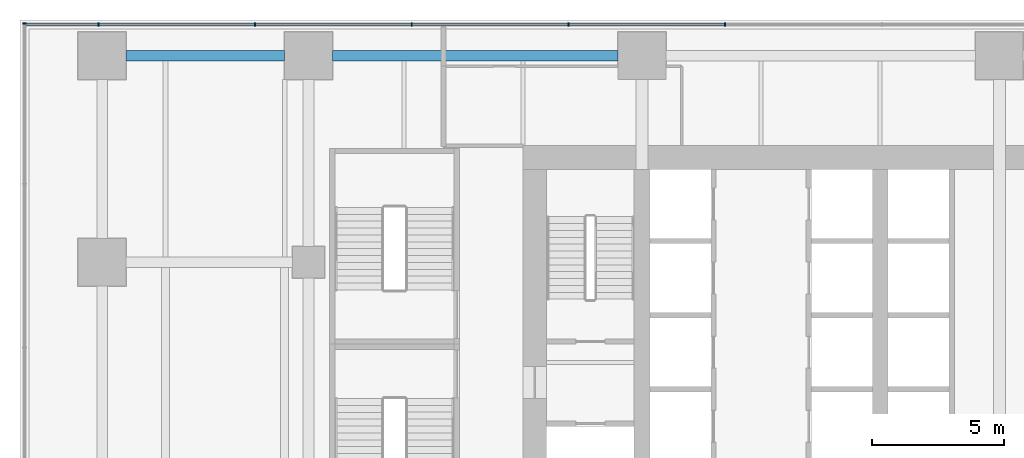
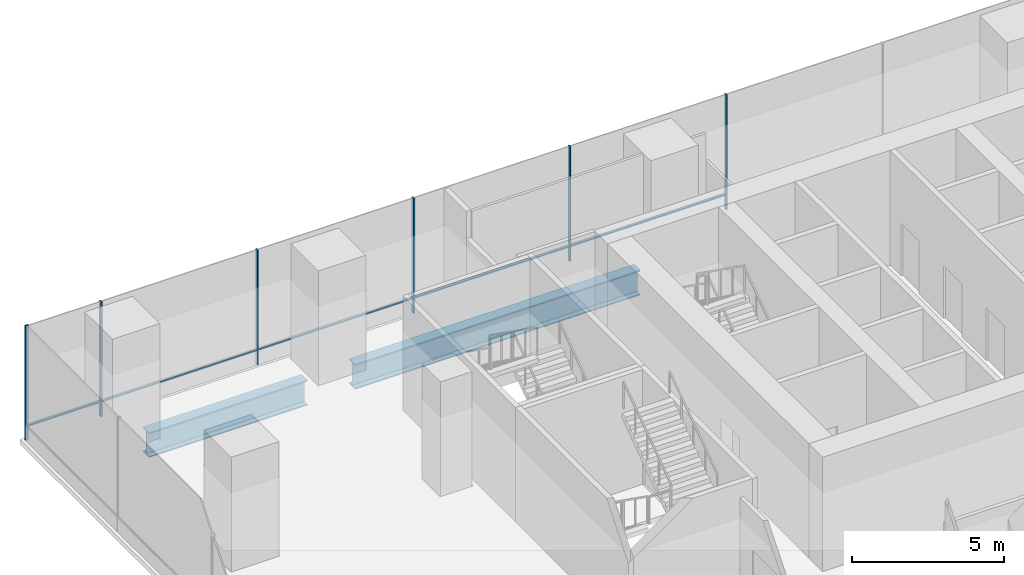
# One storey, part 11 of 28: 11 members, 2 beams, 2 elements without a shape of their own.
"""IFC4 building model written with IfcOpenShell, lengths in metres."""

from ifc_helpers import new_model, si_unit, direction, frame, origin, origin_2d, place, context, subcontext, project, spatial, rectangle, i_section, extrude, material, layer, layer_set, material_profile, profile_set, type_object, element, aggregate, save


model = new_model("IFC4")

# Units and contexts
model_context = context("Model", 3, precision=1e-05, world=origin(), true_north=direction((0.0, 1.0)))
body_context = subcontext(model_context, "Body", "Model", "MODEL_VIEW")
ifc_project = project(units=[si_unit("LENGTHUNIT", "METRE"), si_unit("AREAUNIT", "SQUARE_METRE"), si_unit("VOLUMEUNIT", "CUBIC_METRE"), si_unit("PLANEANGLEUNIT", "RADIAN"), si_unit("MASSUNIT", "GRAM", prefix="KILO")], contexts=[model_context])

# Site, building, storey
site_placement = place(None, origin())
site = spatial("IfcSite", under=ifc_project, at=site_placement, CompositionType="ELEMENT")
building_placement = place(site_placement, origin())
building = spatial("IfcBuilding", under=site, at=building_placement, Name="Rattan Terrace Tower", CompositionType="ELEMENT")
storey_placement = place(building_placement, frame((0.0, 0.0, 22.199951171875)))
storey = spatial("IfcBuildingStorey", under=building, at=storey_placement, Name="L04", CompositionType="ELEMENT", Elevation=22.199951171875)

# Beams
ifc_material_1 = material(Name="Steel S460", Category="steel")
ifc_material_profile_1 = material_profile(ifc_material_1, i_section(OverallWidth=0.39990234375, OverallDepth=1.0, WebThickness=0.01806640625, FlangeThickness=0.044921875, at=origin_2d()), Name="PG 1000x400-18-45")
ifc_profile_set_1 = profile_set([ifc_material_profile_1], Name="Steel S460")
beam_type = type_object("IfcBeamType", Name="Frame podium girder PG 1000x400-18-45", PredefinedType="USERDEFINED", material=ifc_profile_set_1)
beam_1_placement = place(storey_placement, frame((-33.0, 10.89990234375, -0.699951171875), z_axis=(1.0, 0.0, 0.0), x_axis=(0.0, 1.0, 0.0)))
element("IfcBeam", 1, at=beam_1_placement, inside=storey, type_object=beam_type, Name="gdr-L04-046", ObjectType="PODIUM GIRDER", PredefinedType="USERDEFINED", context=body_context, shape_type="SweptSolid", body=[
    extrude(i_section(OverallWidth=0.39990234375, OverallDepth=1.0, WebThickness=0.01806640625, FlangeThickness=0.044921875, at=origin_2d()), origin(), (0.0, 0.0, 1.0), 6.0),
])
beam_2_placement = place(storey_placement, frame((-25.199951171875, 10.89990234375, -0.699951171875), z_axis=(1.0, 0.0, 0.0), x_axis=(0.0, 1.0, 0.0)))
element("IfcBeam", 2, at=beam_2_placement, inside=storey, type_object=beam_type, Name="gdr-L04-047", ObjectType="PODIUM GIRDER", PredefinedType="USERDEFINED", context=body_context, shape_type="SweptSolid", body=[
    extrude(i_section(OverallWidth=0.39990234375, OverallDepth=1.0, WebThickness=0.01806640625, FlangeThickness=0.044921875, at=origin_2d()), origin(), (0.0, 0.0, 1.0), 10.800048828125),
])

# Curtain wall, members
ifc_material_2 = material(Name="Aluminium and glass", Category="aluminium")
ifc_layer = layer(ifc_material_2, 0.1201171875)
ifc_layer_set = layer_set([ifc_layer], Name="Station Storefront Curtain Wall")
curtain_wall_type = type_object("IfcCurtainWallType", Name="Station Storefront Curtain Wall", PredefinedType="NOTDEFINED", material=ifc_layer_set)
curtain_wall_1_placement = place(storey_placement, origin())
curtain_wall_1 = element("IfcCurtainWall", 3, at=curtain_wall_1_placement, inside=storey, type_object=curtain_wall_type, Name="Storefront curtain wall L04-2", PredefinedType="NOTDEFINED")
ifc_material_3 = material(Name="Aluminium", Category="aluminium")
ifc_material_profile_2 = material_profile(ifc_material_3, rectangle(XDim=0.050048828125, YDim=0.1201171875, at=origin_2d()), Name="Aluminium 50x120")
ifc_profile_set_2 = profile_set([ifc_material_profile_2], Name="Aluminium")
member_type_1 = type_object("IfcMemberType", Name="Storefront CW Mullion 50x120", PredefinedType="MULLION", material=ifc_profile_set_2)
member_1_placement = place(storey_placement, frame((-10.360107421875, 12.080078125, 0.0), z_axis=(0.0, 0.0, 1.0), x_axis=(-1.0, 0.0, 0.0)))
member_1 = element("IfcMember", 4, at=member_1_placement, type_object=member_type_1, Name="Mullion cwl-L04-002.9", PredefinedType="MULLION", context=body_context, shape_type="SweptSolid", body=[
    extrude(rectangle(XDim=0.050048828125, YDim=0.1201171875, at=origin_2d()), origin(), (0.0, 0.0, 1.0), 4.60009765625),
])
member_2_placement = place(storey_placement, frame((-16.280029296875, 12.080078125, 0.0), z_axis=(0.0, 0.0, 1.0), x_axis=(-1.0, 0.0, 0.0)))
member_2 = element("IfcMember", 5, at=member_2_placement, type_object=member_type_1, Name="Mullion cwl-L04-002.10", PredefinedType="MULLION", context=body_context, shape_type="SweptSolid", body=[
    extrude(rectangle(XDim=0.050048828125, YDim=0.1201171875, at=origin_2d()), origin(), (0.0, 0.0, 1.0), 4.60009765625),
])
member_3_placement = place(storey_placement, frame((-22.199951171875, 12.080078125, 0.0), z_axis=(0.0, 0.0, 1.0), x_axis=(-1.0, 0.0, 0.0)))
member_3 = element("IfcMember", 6, at=member_3_placement, type_object=member_type_1, Name="Mullion cwl-L04-002.11", PredefinedType="MULLION", context=body_context, shape_type="SweptSolid", body=[
    extrude(rectangle(XDim=0.050048828125, YDim=0.1201171875, at=origin_2d()), origin(), (0.0, 0.0, 1.0), 4.60009765625),
])
member_4_placement = place(storey_placement, frame((-28.1201171875, 12.080078125, 0.0), z_axis=(0.0, 0.0, 1.0), x_axis=(-1.0, 0.0, 0.0)))
member_4 = element("IfcMember", 7, at=member_4_placement, type_object=member_type_1, Name="Mullion cwl-L04-002.12", PredefinedType="MULLION", context=body_context, shape_type="SweptSolid", body=[
    extrude(rectangle(XDim=0.050048828125, YDim=0.1201171875, at=origin_2d()), origin(), (0.0, 0.0, 1.0), 4.60009765625),
])
member_5_placement = place(storey_placement, frame((-34.0400390625, 12.080078125, 0.0), z_axis=(0.0, 0.0, 1.0), x_axis=(-1.0, 0.0, 0.0)))
member_5 = element("IfcMember", 8, at=member_5_placement, type_object=member_type_1, Name="Mullion cwl-L04-002.13", PredefinedType="MULLION", context=body_context, shape_type="SweptSolid", body=[
    extrude(rectangle(XDim=0.050048828125, YDim=0.1201171875, at=origin_2d()), origin(), (0.0, 0.0, 1.0), 4.60009765625),
])

# Curtain wall, member
curtain_wall_2_placement = place(storey_placement, origin())
curtain_wall_2 = element("IfcCurtainWall", 9, at=curtain_wall_2_placement, inside=storey, type_object=curtain_wall_type, Name="Storefront curtain wall L04-3", PredefinedType="NOTDEFINED")
member_6_placement = place(storey_placement, frame((-36.830078125, 12.114990234375, 0.0), z_axis=(0.0, 0.0, 1.0), x_axis=(0.0, -1.0, 0.0)))
member_6 = element("IfcMember", 10, at=member_6_placement, type_object=member_type_1, Name="Mullion cwl-L04-003.1", PredefinedType="MULLION", context=body_context, shape_type="SweptSolid", body=[
    extrude(rectangle(XDim=0.050048828125, YDim=0.1201171875, at=origin_2d()), origin(), (0.0, 0.0, 1.0), 4.60009765625),
])
aggregate(curtain_wall_2, [member_6])

# Member
ifc_material_4 = material(Name="Aluminium", Category="aluminium")
ifc_material_profile_3 = material_profile(ifc_material_4, rectangle(XDim=0.10009765625, YDim=0.050048828125, at=origin_2d()), Name="Aluminium 100x50")
ifc_profile_set_3 = profile_set([ifc_material_profile_3], Name="Aluminium")
member_type_2 = type_object("IfcMemberType", Name="Storefront CW Transom 100x50", PredefinedType="USERDEFINED", material=ifc_profile_set_3)
member_7_placement = place(storey_placement, frame((-10.385009765625, 12.080078125, 0.60009765625), z_axis=(-1.0, 0.0, 0.0), x_axis=(0.0, -1.0, 0.0)))
member_7 = element("IfcMember", 11, at=member_7_placement, type_object=member_type_2, Name="Transom cwl-L04-002.9", ObjectType="TRANSOM", PredefinedType="USERDEFINED", context=body_context, shape_type="SweptSolid", body=[
    extrude(rectangle(XDim=0.10009765625, YDim=0.050048828125, at=origin_2d()), origin(), (0.0, 0.0, 1.0), 5.869873046875),
])

member_8_placement = place(storey_placement, frame((-16.304931640625, 12.080078125, 0.60009765625), z_axis=(-1.0, 0.0, 0.0), x_axis=(0.0, -1.0, 0.0)))
member_8 = element("IfcMember", 12, at=member_8_placement, type_object=member_type_2, Name="Transom cwl-L04-002.10", ObjectType="TRANSOM", PredefinedType="USERDEFINED", context=body_context, shape_type="SweptSolid", body=[
    extrude(rectangle(XDim=0.10009765625, YDim=0.050048828125, at=origin_2d()), origin(), (0.0, 0.0, 1.0), 5.8701171875),
])

member_9_placement = place(storey_placement, frame((-22.22509765625, 12.080078125, 0.60009765625), z_axis=(-1.0, 0.0, 0.0), x_axis=(0.0, -1.0, 0.0)))
member_9 = element("IfcMember", 13, at=member_9_placement, type_object=member_type_2, Name="Transom cwl-L04-002.11", ObjectType="TRANSOM", PredefinedType="USERDEFINED", context=body_context, shape_type="SweptSolid", body=[
    extrude(rectangle(XDim=0.10009765625, YDim=0.050048828125, at=origin_2d()), origin(), (0.0, 0.0, 1.0), 5.869873046875),
])

member_10_placement = place(storey_placement, frame((-28.14501953125, 12.080078125, 0.60009765625), z_axis=(-1.0, 0.0, 0.0), x_axis=(0.0, -1.0, 0.0)))
member_10 = element("IfcMember", 14, at=member_10_placement, type_object=member_type_2, Name="Transom cwl-L04-002.12", ObjectType="TRANSOM", PredefinedType="USERDEFINED", context=body_context, shape_type="SweptSolid", body=[
    extrude(rectangle(XDim=0.10009765625, YDim=0.050048828125, at=origin_2d()), origin(), (0.0, 0.0, 1.0), 5.869873046875),
])

member_11_placement = place(storey_placement, frame((-34.06494140625, 12.080078125, 0.60009765625), z_axis=(-1.0, 0.0, 0.0), x_axis=(0.0, -1.0, 0.0)))
member_11 = element("IfcMember", 15, at=member_11_placement, type_object=member_type_2, Name="Transom cwl-L04-002.13", ObjectType="TRANSOM", PredefinedType="USERDEFINED", context=body_context, shape_type="SweptSolid", body=[
    extrude(rectangle(XDim=0.10009765625, YDim=0.050048828125, at=origin_2d()), origin(), (0.0, 0.0, 1.0), 2.705078125),
])

aggregate(curtain_wall_1, [member_1, member_2, member_3, member_4, member_5, member_7, member_8, member_9, member_10, member_11])

save(model, "model.ifc")
